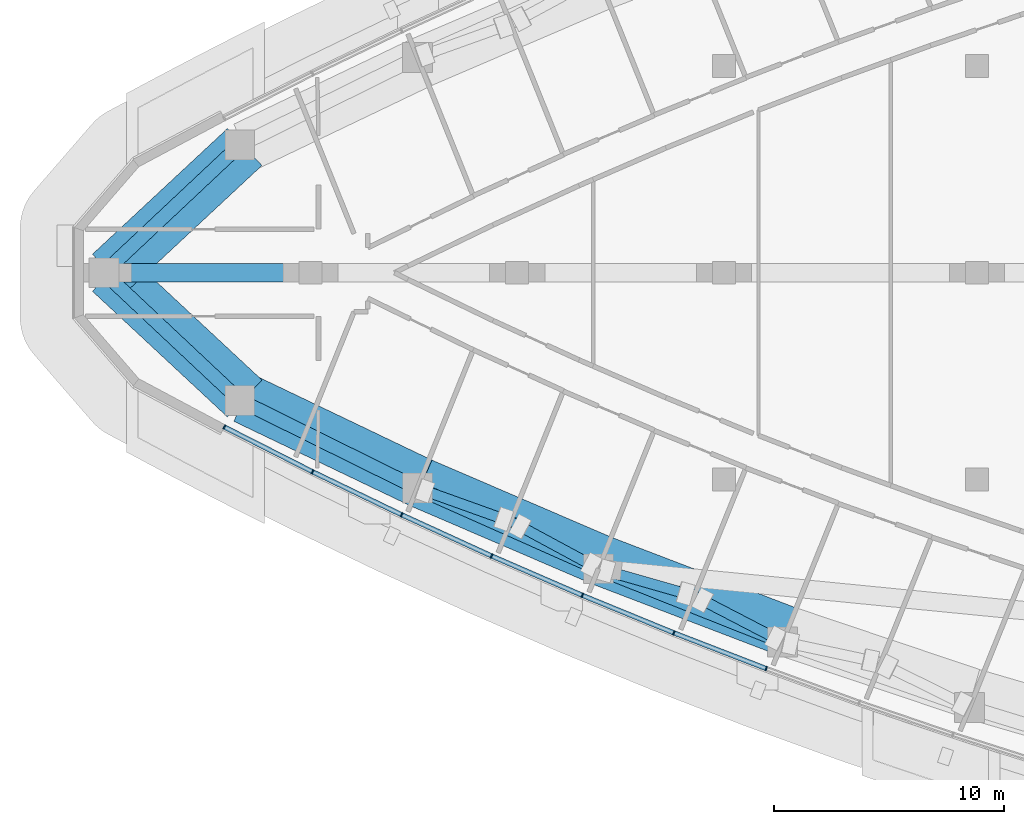
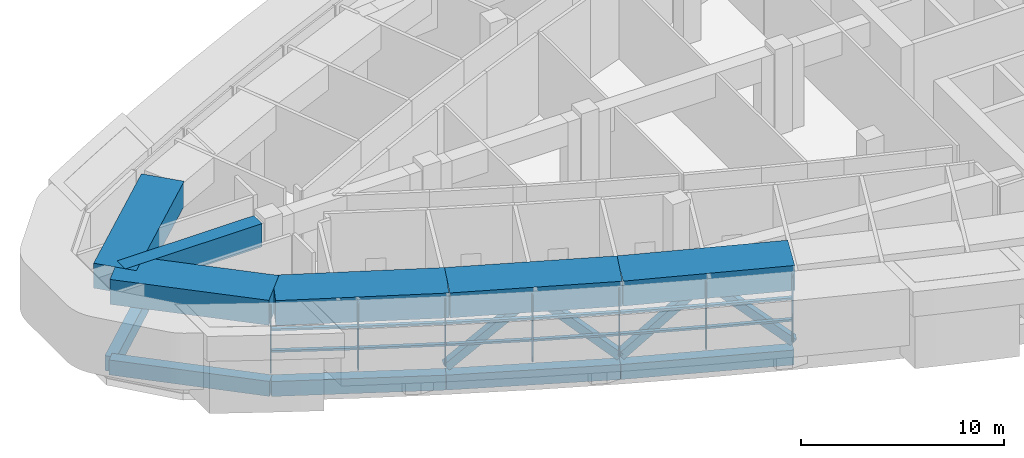
# One storey, part 2 of 17: 23 members, 11 beams, 3 elements without a shape of their own.
"""IFC4 building model written with IfcOpenShell, lengths in metres."""

from ifc_helpers import new_model, si_unit, direction, frame, origin, origin_2d, place, context, subcontext, project, spatial, rectangle, hollow_rectangle, extrude, material, layer, layer_set, material_profile, profile_set, type_object, element, aggregate, save


model = new_model("IFC4")

# Units and contexts
model_context = context("Model", 3, precision=1e-05, world=origin(), true_north=direction((0.0, 1.0)))
body_context = subcontext(model_context, "Body", "Model", "MODEL_VIEW")
ifc_project = project(units=[si_unit("LENGTHUNIT", "METRE"), si_unit("AREAUNIT", "SQUARE_METRE"), si_unit("VOLUMEUNIT", "CUBIC_METRE"), si_unit("PLANEANGLEUNIT", "RADIAN"), si_unit("MASSUNIT", "GRAM", prefix="KILO")], contexts=[model_context])

# Site, building, storey
site_placement = place(None, origin())
site = spatial("IfcSite", under=ifc_project, at=site_placement, CompositionType="ELEMENT")
building_placement = place(site_placement, origin())
building = spatial("IfcBuilding", under=site, at=building_placement, Name="Ostrand Prow Hotel Tower", CompositionType="ELEMENT")
storey_placement = place(building_placement, frame((0.0, 0.0, 211.0)))
storey = spatial("IfcBuildingStorey", under=building, at=storey_placement, Name="L53", CompositionType="ELEMENT", Elevation=211.0)

# Members
ifc_material_1 = material(Name="Steel S355", Category="steel")
ifc_material_profile_1 = material_profile(ifc_material_1, hollow_rectangle(XDim=0.45703125, YDim=0.45703125, WallThickness=0.025390625, at=origin_2d()), Name="HSS457x457x25.4")
ifc_profile_set_1 = profile_set([ifc_material_profile_1], Name="Steel S355")
member_type_1 = type_object("IfcMemberType", Name="Belt brace HSS457x457x25.4", PredefinedType="BRACE", material=ifc_profile_set_1)
member_1_placement = place(storey_placement, frame((20.656982421875, -9.373291015625, 0.0), z_axis=(0.715634497261, -0.256450851521, 0.649692409594), x_axis=(0.337347800984, 0.941380083267, 0.0)))
element("IfcMember", 1, at=member_1_placement, inside=storey, type_object=member_type_1, Name="Belt brace 01", PredefinedType="BRACE", context=body_context, shape_type="SweptSolid", body=[
    extrude(hollow_rectangle(XDim=0.45703125, YDim=0.45703125, WallThickness=0.025390625, at=origin_2d()), origin(), (0.0, 0.0, 1.0), 5.77197265625),
])
member_2_placement = place(storey_placement, frame((28.5341796875, -12.878173828125, 0.0), z_axis=(-0.660262499588, 0.356806784118, 0.660864850363), x_axis=(-0.47542230568, -0.879757711681, 0.0)))
element("IfcMember", 2, at=member_2_placement, inside=storey, type_object=member_type_1, Name="Belt brace 02", PredefinedType="BRACE", context=body_context, shape_type="SweptSolid", body=[
    extrude(hollow_rectangle(XDim=0.45703125, YDim=0.45703125, WallThickness=0.025390625, at=origin_2d()), origin(), (0.0, 0.0, 1.0), 5.67431640625),
])
member_3_placement = place(storey_placement, frame((28.5341796875, -12.878173828125, 0.0), z_axis=(0.72799578173, -0.2075126175, 0.653422264207), x_axis=(0.274127299502, 0.961693414591, 0.0)))
element("IfcMember", 3, at=member_3_placement, inside=storey, type_object=member_type_1, Name="Belt brace 03", PredefinedType="BRACE", context=body_context, shape_type="SweptSolid", body=[
    extrude(hollow_rectangle(XDim=0.45703125, YDim=0.45703125, WallThickness=0.025390625, at=origin_2d()), origin(), (0.0, 0.0, 1.0), 5.739013671875),
])
member_4_placement = place(storey_placement, frame((36.547119140625, -16.060791015625, 0.0), z_axis=(-0.67026448341, 0.348104001506, 0.655415232059), x_axis=(-0.460900844773, -0.887451638844, 0.0)))
element("IfcMember", 4, at=member_4_placement, inside=storey, type_object=member_type_1, Name="Belt brace 04", PredefinedType="BRACE", context=body_context, shape_type="SweptSolid", body=[
    extrude(hollow_rectangle(XDim=0.45703125, YDim=0.45703125, WallThickness=0.025390625, at=origin_2d()), origin(), (0.0, 0.0, 1.0), 5.7216796875),
])

# Beams
ifc_material_2 = material(Name="Concrete C60/75", Category="concrete")
ifc_material_profile_2 = material_profile(ifc_material_2, rectangle(XDim=2.199951171875, YDim=1.5, at=origin_2d()), Name="RC 2200x1500")
ifc_profile_set_2 = profile_set([ifc_material_profile_2], Name="Concrete C60/75")
beam_type_1 = type_object("IfcBeamType", Name="Belt girder 2200x1500 C60/75", PredefinedType="BEAM", material=ifc_profile_set_2)
beam_1_placement = place(storey_placement, frame((7.265625, 0.0, 4.14990234375), z_axis=(0.731847437636, -0.681468508462, 0.0), x_axis=(0.681468508462, 0.731847437636, 0.0)))
element("IfcBeam", 5, at=beam_1_placement, inside=storey, type_object=beam_type_1, Name="Belt girder P-S1", PredefinedType="BEAM", context=body_context, shape_type="SweptSolid", body=[
    extrude(rectangle(XDim=2.199951171875, YDim=1.5, at=origin_2d()), origin(), (0.0, 0.0, 1.0), 8.030029296875),
])
for number, where, z_axis, x_axis, name in (
    (6, (13.142333984375, -5.47216796875, 4.14990234375), (0.901995068169, -0.431746334088, 0.0), (0.431746334088, 0.901995068169, 0.0), "Belt girder S1-S2"),
    (7, (20.85791015625, -9.165283203125, 4.14990234375), (0.918799229305, -0.394725190771, 0.0), (0.394725190771, 0.918799229305, 0.0), "Belt girder S2-S3"),
    (8, (28.71728515625, -12.541748046875, 4.14990234375), (0.934073395345, -0.357081072178, 0.0), (0.357081072178, 0.934073395345, 0.0), "Belt girder S3-S4"),
):
    element("IfcBeam", number, at=place(storey_placement, frame(where, z_axis=z_axis, x_axis=x_axis)), inside=storey, type_object=beam_type_1, Name=name, PredefinedType="BEAM", context=body_context, shape_type="SweptSolid", body=[
        extrude(rectangle(XDim=2.199951171875, YDim=1.5, at=origin_2d()), origin(), (0.0, 0.0, 1.0), 8.553955078125),
    ])
beam_2_placement = place(storey_placement, frame((13.142333984375, 5.47216796875, 4.14990234375), z_axis=(-0.731847437636, -0.681468508462, 0.0), x_axis=(0.681468508462, -0.731847437636, 0.0)))
element("IfcBeam", 9, at=beam_2_placement, inside=storey, type_object=beam_type_1, Name="Belt girder N6-P", PredefinedType="BEAM", context=body_context, shape_type="SweptSolid", body=[
    extrude(rectangle(XDim=2.199951171875, YDim=1.5, at=origin_2d()), origin(), (0.0, 0.0, 1.0), 8.030029296875),
])
ifc_material_3 = material(Name="Concrete C60/75", Category="concrete")
ifc_material_profile_3 = material_profile(ifc_material_3, rectangle(XDim=0.60009765625, YDim=0.89990234375, at=origin_2d()), Name="RC 600x900")
ifc_profile_set_3 = profile_set([ifc_material_profile_3], Name="Concrete C60/75")
beam_type_2 = type_object("IfcBeamType", Name="Edge beam 600x900 C60/75", PredefinedType="SPANDREL", material=ifc_profile_set_3)
beam_3_placement = place(storey_placement, frame((7.01708984375, 0.0, -0.85009765625), z_axis=(0.728960507808, -0.684555752336, 0.0), x_axis=(0.684555752336, 0.728960507808, 0.0)))
element("IfcBeam", 10, at=beam_3_placement, inside=storey, type_object=beam_type_2, Name="Edge beam P-S1", PredefinedType="SPANDREL", context=body_context, shape_type="SweptSolid", body=[
    extrude(rectangle(XDim=0.60009765625, YDim=0.89990234375, at=origin_2d()), origin(), (0.0, 0.0, 1.0), 8.109619140625),
])
beam_4_placement = place(storey_placement, frame((12.9287109375, -5.551513671875, -0.85009765625), z_axis=(0.896383774903, -0.443278837856, 0.0), x_axis=(0.443278837856, 0.896383774903, 0.0)))
element("IfcBeam", 11, at=beam_4_placement, inside=storey, type_object=beam_type_2, Name="Edge beam S1-S2", PredefinedType="SPANDREL", context=body_context, shape_type="SweptSolid", body=[
    extrude(rectangle(XDim=0.60009765625, YDim=0.89990234375, at=origin_2d()), origin(), (0.0, 0.0, 1.0), 8.62158203125),
])
for number, where, z_axis, x_axis, name in (
    (12, (20.656982421875, -9.373291015625, -0.85009765625), (0.91364332073, -0.406516767779, 0.0), (0.406516767779, 0.91364332073, 0.0), "Edge beam S2-S3"),
    (13, (28.5341796875, -12.878173828125, -0.85009765625), (0.929376173753, -0.36913402398, 0.0), (0.36913402398, 0.929376173753, 0.0), "Edge beam S3-S4"),
):
    element("IfcBeam", number, at=place(storey_placement, frame(where, z_axis=z_axis, x_axis=x_axis)), inside=storey, type_object=beam_type_2, Name=name, PredefinedType="SPANDREL", context=body_context, shape_type="SweptSolid", body=[
        extrude(rectangle(XDim=0.60009765625, YDim=0.89990234375, at=origin_2d()), origin(), (0.0, 0.0, 1.0), 8.621826171875),
    ])
beam_5_placement = place(storey_placement, frame((12.9287109375, 5.551513671875, -0.85009765625), z_axis=(-0.728960507808, -0.684555752336, 0.0), x_axis=(0.684555752336, -0.728960507808, 0.0)))
element("IfcBeam", 14, at=beam_5_placement, inside=storey, type_object=beam_type_2, Name="Edge beam N6-P", PredefinedType="SPANDREL", context=body_context, shape_type="SweptSolid", body=[
    extrude(rectangle(XDim=0.60009765625, YDim=0.89990234375, at=origin_2d()), origin(), (0.0, 0.0, 1.0), 8.109619140625),
])

# Curtain wall, members
ifc_material_4 = material(Name="Insulated glass in bronze anodised frame", Category="glass")
ifc_layer = layer(ifc_material_4, 0.199951171875)
ifc_layer_set = layer_set([ifc_layer], Name="Insulated glass in bronze anodised frame")
curtain_wall_type = type_object("IfcCurtainWallType", Name="Plant storey louvre wall", PredefinedType="NOTDEFINED", material=ifc_layer_set)
curtain_wall_1_placement = place(storey_placement, origin())
curtain_wall_1 = element("IfcCurtainWall", 15, at=curtain_wall_1_placement, inside=storey, type_object=curtain_wall_type, Name="CW7 run CWS1", PredefinedType="NOTDEFINED")
ifc_material_5 = material(Name="Bronze anodised aluminium", Category="aluminium")
ifc_material_profile_4 = material_profile(ifc_material_5, rectangle(XDim=0.199951171875, YDim=0.06005859375, at=origin_2d()), Name="Mullion 60x200 bronze anodised aluminium")
ifc_profile_set_4 = profile_set([ifc_material_profile_4], Name="Bronze anodised aluminium")
member_type_2 = type_object("IfcMemberType", Name="Mullion 60x200 bronze anodised aluminium", PredefinedType="MULLION", material=ifc_profile_set_4)
member_5_placement = place(storey_placement, frame((12.255859375, -6.71240234375, 0.89990234375), z_axis=(0.0, 0.0, 1.0), x_axis=(0.452658828186, 0.891683792196, 0.0)))
member_5 = element("IfcMember", 16, at=member_5_placement, type_object=member_type_2, Name="CW7 mullion 1", PredefinedType="MULLION", context=body_context, shape_type="SweptSolid", body=[
    extrude(rectangle(XDim=0.199951171875, YDim=0.06005859375, at=origin_2d()), origin(), (0.0, 0.0, 1.0), 4.0),
])
member_6_placement = place(storey_placement, frame((16.0947265625, -8.660888671875, 0.89990234375), z_axis=(0.0, 0.0, 1.0), x_axis=(0.434615027304, 0.90061633232, 0.0)))
member_6 = element("IfcMember", 17, at=member_6_placement, type_object=member_type_2, Name="CW7 mullion 2", PredefinedType="MULLION", context=body_context, shape_type="SweptSolid", body=[
    extrude(rectangle(XDim=0.199951171875, YDim=0.06005859375, at=origin_2d()), origin(), (0.0, 0.0, 1.0), 4.0),
])
member_7_placement = place(storey_placement, frame((19.971923828125, -10.531982421875, 0.89990234375), z_axis=(0.0, 0.0, 1.0), x_axis=(0.434615027304, 0.90061633232, 0.0)))
member_7 = element("IfcMember", 18, at=member_7_placement, type_object=member_type_2, Name="CW7 mullion 3", PredefinedType="MULLION", context=body_context, shape_type="SweptSolid", body=[
    extrude(rectangle(XDim=0.199951171875, YDim=0.06005859375, at=origin_2d()), origin(), (0.0, 0.0, 1.0), 4.0),
])

curtain_wall_2_placement = place(storey_placement, origin())
curtain_wall_2 = element("IfcCurtainWall", 19, at=curtain_wall_2_placement, inside=storey, type_object=curtain_wall_type, Name="CW7 run CWS2", PredefinedType="NOTDEFINED")
member_8_placement = place(storey_placement, frame((23.885986328125, -12.32470703125, 0.89990234375), z_axis=(0.0, 0.0, 1.0), x_axis=(0.398004671812, 0.917383388347, 0.0)))
member_8 = element("IfcMember", 20, at=member_8_placement, type_object=member_type_2, Name="CW7 mullion 2", PredefinedType="MULLION", context=body_context, shape_type="SweptSolid", body=[
    extrude(rectangle(XDim=0.199951171875, YDim=0.06005859375, at=origin_2d()), origin(), (0.0, 0.0, 1.0), 4.0),
])
member_9_placement = place(storey_placement, frame((27.83544921875, -14.0380859375, 0.89990234375), z_axis=(0.0, 0.0, 1.0), x_axis=(0.398004671812, 0.917383388347, 0.0)))
member_9 = element("IfcMember", 21, at=member_9_placement, type_object=member_type_2, Name="CW7 mullion 3", PredefinedType="MULLION", context=body_context, shape_type="SweptSolid", body=[
    extrude(rectangle(XDim=0.199951171875, YDim=0.06005859375, at=origin_2d()), origin(), (0.0, 0.0, 1.0), 4.0),
])

curtain_wall_3_placement = place(storey_placement, origin())
curtain_wall_3 = element("IfcCurtainWall", 22, at=curtain_wall_3_placement, inside=storey, type_object=curtain_wall_type, Name="CW7 run CWS3", PredefinedType="NOTDEFINED")
member_10_placement = place(storey_placement, frame((31.818603515625, -15.671630859375, 0.89990234375), z_axis=(0.0, 0.0, 1.0), x_axis=(0.360748970732, 0.932662950972, 0.0)))
member_10 = element("IfcMember", 23, at=member_10_placement, type_object=member_type_2, Name="CW7 mullion 2", PredefinedType="MULLION", context=body_context, shape_type="SweptSolid", body=[
    extrude(rectangle(XDim=0.199951171875, YDim=0.06005859375, at=origin_2d()), origin(), (0.0, 0.0, 1.0), 4.0),
])
member_11_placement = place(storey_placement, frame((35.833740234375, -17.224609375, 0.89990234375), z_axis=(0.0, 0.0, 1.0), x_axis=(0.360748970732, 0.932662950972, 0.0)))
member_11 = element("IfcMember", 24, at=member_11_placement, type_object=member_type_2, Name="CW7 mullion 3", PredefinedType="MULLION", context=body_context, shape_type="SweptSolid", body=[
    extrude(rectangle(XDim=0.199951171875, YDim=0.06005859375, at=origin_2d()), origin(), (0.0, 0.0, 1.0), 4.0),
])

# Beam
ifc_material_6 = material(Name="Concrete C60/75", Category="concrete")
ifc_material_profile_5 = material_profile(ifc_material_6, rectangle(XDim=0.800048828125, YDim=1.39990234375, at=origin_2d()), Name="RC 800x1400")
ifc_profile_set_5 = profile_set([ifc_material_profile_5], Name="Concrete C60/75")
beam_type_3 = type_object("IfcBeamType", Name="Outrigger lintel 800x1400 C60/75", PredefinedType="LINTEL", material=ifc_profile_set_5)
beam_6_placement = place(storey_placement, frame((7.6171875, 0.0, 4.199951171875), z_axis=(1.0, 0.0, 0.0), x_axis=(0.0, 1.0, 0.0)))
element("IfcBeam", 25, at=beam_6_placement, inside=storey, type_object=beam_type_3, Name="Outrigger lintel A1", PredefinedType="LINTEL", context=body_context, shape_type="SweptSolid", body=[
    extrude(rectangle(XDim=0.800048828125, YDim=1.39990234375, at=origin_2d()), origin(), (0.0, 0.0, 1.0), 7.78271484375),
])

# Member
ifc_material_7 = material(Name="Bronze anodised aluminium", Category="aluminium")
ifc_material_profile_6 = material_profile(ifc_material_7, rectangle(XDim=0.199951171875, YDim=0.1201171875, at=origin_2d()), Name="Transom 120x200 bronze anodised aluminium")
ifc_profile_set_6 = profile_set([ifc_material_profile_6], Name="Bronze anodised aluminium")
member_type_3 = type_object("IfcMemberType", Name="Transom 120x200 bronze anodised aluminium", PredefinedType="USERDEFINED", material=ifc_profile_set_6)
member_12_placement = place(storey_placement, frame((12.28271484375, -6.725830078125, 2.199951171875), z_axis=(0.891672840777, -0.452680400526, 0.0), x_axis=(0.452680400526, 0.891672840777, 0.0)))
member_12 = element("IfcMember", 26, at=member_12_placement, type_object=member_type_3, Name="CW7 transom 1.1", ObjectType="TRANSOM", PredefinedType="USERDEFINED", context=body_context, shape_type="SweptSolid", body=[
    extrude(rectangle(XDim=0.199951171875, YDim=0.1201171875, at=origin_2d()), origin(), (0.0, 0.0, 1.0), 4.2451171875),
])

member_13_placement = place(storey_placement, frame((12.28271484375, -6.725830078125, 3.5), z_axis=(0.891672840777, -0.452680400526, 0.0), x_axis=(0.452680400526, 0.891672840777, 0.0)))
member_13 = element("IfcMember", 27, at=member_13_placement, type_object=member_type_3, Name="CW7 transom 1.2", ObjectType="TRANSOM", PredefinedType="USERDEFINED", context=body_context, shape_type="SweptSolid", body=[
    extrude(rectangle(XDim=0.199951171875, YDim=0.1201171875, at=origin_2d()), origin(), (0.0, 0.0, 1.0), 4.2451171875),
])

member_14_placement = place(storey_placement, frame((16.12158203125, -8.674072265625, 2.199951171875), z_axis=(0.900619174345, -0.434609137965, 0.0), x_axis=(0.434609137965, 0.900619174345, 0.0)))
member_14 = element("IfcMember", 28, at=member_14_placement, type_object=member_type_3, Name="CW7 transom 2.1", ObjectType="TRANSOM", PredefinedType="USERDEFINED", context=body_context, shape_type="SweptSolid", body=[
    extrude(rectangle(XDim=0.199951171875, YDim=0.1201171875, at=origin_2d()), origin(), (0.0, 0.0, 1.0), 4.2451171875),
])

member_15_placement = place(storey_placement, frame((16.12158203125, -8.674072265625, 3.5), z_axis=(0.900619174345, -0.434609137965, 0.0), x_axis=(0.434609137965, 0.900619174345, 0.0)))
member_15 = element("IfcMember", 29, at=member_15_placement, type_object=member_type_3, Name="CW7 transom 2.2", ObjectType="TRANSOM", PredefinedType="USERDEFINED", context=body_context, shape_type="SweptSolid", body=[
    extrude(rectangle(XDim=0.199951171875, YDim=0.1201171875, at=origin_2d()), origin(), (0.0, 0.0, 1.0), 4.2451171875),
])

aggregate(curtain_wall_1, [member_5, member_6, member_7, member_12, member_13, member_14, member_15])

member_16_placement = place(storey_placement, frame((19.999267578125, -10.54443359375, 2.199951171875), z_axis=(0.909159196143, -0.416448743628, 0.0), x_axis=(0.416448743628, 0.909159196143, 0.0)))
member_16 = element("IfcMember", 30, at=member_16_placement, type_object=member_type_3, Name="CW7 transom 1.1", ObjectType="TRANSOM", PredefinedType="USERDEFINED", context=body_context, shape_type="SweptSolid", body=[
    extrude(rectangle(XDim=0.199951171875, YDim=0.1201171875, at=origin_2d()), origin(), (0.0, 0.0, 1.0), 4.244873046875),
])

member_17_placement = place(storey_placement, frame((19.999267578125, -10.54443359375, 3.5), z_axis=(0.909159196143, -0.416448743628, 0.0), x_axis=(0.416448743628, 0.909159196143, 0.0)))
member_17 = element("IfcMember", 31, at=member_17_placement, type_object=member_type_3, Name="CW7 transom 1.2", ObjectType="TRANSOM", PredefinedType="USERDEFINED", context=body_context, shape_type="SweptSolid", body=[
    extrude(rectangle(XDim=0.199951171875, YDim=0.1201171875, at=origin_2d()), origin(), (0.0, 0.0, 1.0), 4.244873046875),
])

member_18_placement = place(storey_placement, frame((23.91357421875, -12.336669921875, 2.199951171875), z_axis=(0.917389785482, -0.397989926371, 0.0), x_axis=(0.397989926371, 0.917389785482, 0.0)))
member_18 = element("IfcMember", 32, at=member_18_placement, type_object=member_type_3, Name="CW7 transom 2.1", ObjectType="TRANSOM", PredefinedType="USERDEFINED", context=body_context, shape_type="SweptSolid", body=[
    extrude(rectangle(XDim=0.199951171875, YDim=0.1201171875, at=origin_2d()), origin(), (0.0, 0.0, 1.0), 4.244873046875),
])

member_19_placement = place(storey_placement, frame((23.91357421875, -12.336669921875, 3.5), z_axis=(0.917389785482, -0.397989926371, 0.0), x_axis=(0.397989926371, 0.917389785482, 0.0)))
member_19 = element("IfcMember", 33, at=member_19_placement, type_object=member_type_3, Name="CW7 transom 2.2", ObjectType="TRANSOM", PredefinedType="USERDEFINED", context=body_context, shape_type="SweptSolid", body=[
    extrude(rectangle(XDim=0.199951171875, YDim=0.1201171875, at=origin_2d()), origin(), (0.0, 0.0, 1.0), 4.244873046875),
])

aggregate(curtain_wall_2, [member_8, member_9, member_16, member_17, member_18, member_19])

member_20_placement = place(storey_placement, frame((27.863037109375, -14.049560546875, 2.199951171875), z_axis=(0.925213143858, -0.379447807258, 0.0), x_axis=(0.379447807258, 0.925213143858, 0.0)))
member_20 = element("IfcMember", 34, at=member_20_placement, type_object=member_type_3, Name="CW7 transom 1.1", ObjectType="TRANSOM", PredefinedType="USERDEFINED", context=body_context, shape_type="SweptSolid", body=[
    extrude(rectangle(XDim=0.199951171875, YDim=0.1201171875, at=origin_2d()), origin(), (0.0, 0.0, 1.0), 4.2451171875),
])

member_21_placement = place(storey_placement, frame((27.863037109375, -14.049560546875, 3.5), z_axis=(0.925213143858, -0.379447807258, 0.0), x_axis=(0.379447807258, 0.925213143858, 0.0)))
member_21 = element("IfcMember", 35, at=member_21_placement, type_object=member_type_3, Name="CW7 transom 1.2", ObjectType="TRANSOM", PredefinedType="USERDEFINED", context=body_context, shape_type="SweptSolid", body=[
    extrude(rectangle(XDim=0.199951171875, YDim=0.1201171875, at=origin_2d()), origin(), (0.0, 0.0, 1.0), 4.2451171875),
])

member_22_placement = place(storey_placement, frame((31.846435546875, -15.6826171875, 2.199951171875), z_axis=(0.932675482501, -0.360716570651, 0.0), x_axis=(0.360716570651, 0.932675482501, 0.0)))
member_22 = element("IfcMember", 36, at=member_22_placement, type_object=member_type_3, Name="CW7 transom 2.1", ObjectType="TRANSOM", PredefinedType="USERDEFINED", context=body_context, shape_type="SweptSolid", body=[
    extrude(rectangle(XDim=0.199951171875, YDim=0.1201171875, at=origin_2d()), origin(), (0.0, 0.0, 1.0), 4.2451171875),
])

member_23_placement = place(storey_placement, frame((31.846435546875, -15.6826171875, 3.5), z_axis=(0.932675482501, -0.360716570651, 0.0), x_axis=(0.360716570651, 0.932675482501, 0.0)))
member_23 = element("IfcMember", 37, at=member_23_placement, type_object=member_type_3, Name="CW7 transom 2.2", ObjectType="TRANSOM", PredefinedType="USERDEFINED", context=body_context, shape_type="SweptSolid", body=[
    extrude(rectangle(XDim=0.199951171875, YDim=0.1201171875, at=origin_2d()), origin(), (0.0, 0.0, 1.0), 4.2451171875),
])

aggregate(curtain_wall_3, [member_10, member_11, member_20, member_21, member_22, member_23])

save(model, "model.ifc")
